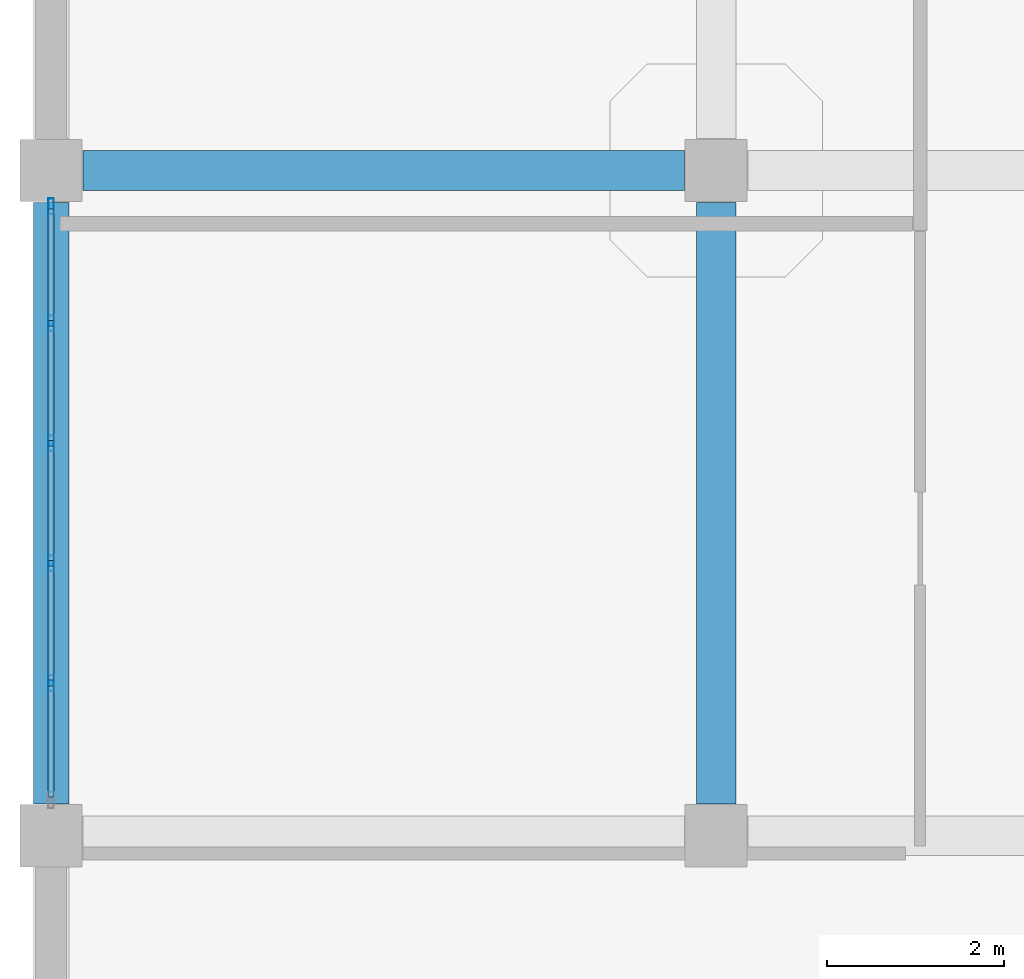
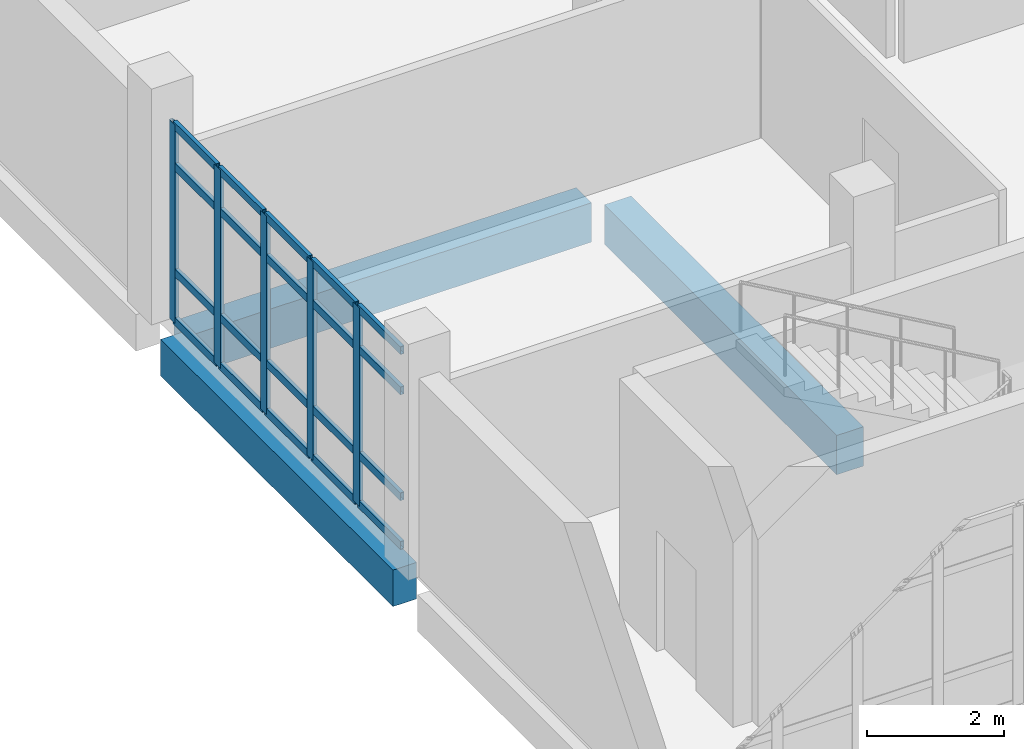
# One storey, part 16 of 164: 25 members, 3 beams, 1 element without a shape of its own.
"""IFC4 building model written with IfcOpenShell, lengths in metres."""

from ifc_helpers import new_model, si_unit, direction, frame, origin, origin_2d, place, context, subcontext, project, spatial, rectangle, hollow_rectangle, extrude, material, layer, layer_set, material_profile, profile_set, type_object, element, aggregate, save


model = new_model("IFC4")

# Units and contexts
model_context = context("Model", 3, precision=1e-05, world=origin(), true_north=direction((0.0, 1.0)))
body_context = subcontext(model_context, "Body", "Model", "MODEL_VIEW")
ifc_project = project(units=[si_unit("LENGTHUNIT", "METRE"), si_unit("AREAUNIT", "SQUARE_METRE"), si_unit("VOLUMEUNIT", "CUBIC_METRE"), si_unit("PLANEANGLEUNIT", "RADIAN"), si_unit("MASSUNIT", "GRAM", prefix="KILO")], contexts=[model_context])

# Site, building, storey
site_placement = place(None, origin())
site = spatial("IfcSite", under=ifc_project, at=site_placement, CompositionType="ELEMENT")
building_placement = place(site_placement, origin())
building = spatial("IfcBuilding", under=site, at=building_placement, Name="Mawjan Specialist Oncology Clinic", CompositionType="ELEMENT")
storey_placement = place(building_placement, frame((0.0, 0.0, 5.0)))
storey = spatial("IfcBuildingStorey", under=building, at=storey_placement, Name="L01", CompositionType="ELEMENT", Elevation=5.0)

# Beams
ifc_material_1 = material(Name="Concrete C40/50", Category="concrete")
ifc_material_profile_1 = material_profile(ifc_material_1, rectangle(XDim=0.449951171875, YDim=0.699951171875, at=origin_2d()), Name="RC BM 450x700", Category="concrete")
ifc_profile_set_1 = profile_set([ifc_material_profile_1], Name="Concrete C40/50")
beam_type_1 = type_object("IfcBeamType", Name="BM-450x700", PredefinedType="BEAM", material=ifc_profile_set_1)
beam_1_placement = place(storey_placement, frame((0.360107421875, 15.800048828125, -0.8701171875), z_axis=(1.0, 0.0, 0.0), x_axis=(0.0, 1.0, 0.0)))
element("IfcBeam", 1, at=beam_1_placement, inside=storey, type_object=beam_type_1, Name="L01 Collector Beam BM-L01-0237", PredefinedType="BEAM", context=body_context, shape_type="SweptSolid", body=[
    extrude(rectangle(XDim=0.449951171875, YDim=0.699951171875, at=origin_2d()), origin(), (0.0, 0.0, 1.0), 6.77978515625),
])
beam_2_placement = place(storey_placement, frame((7.5, 8.659912109375, -0.8701171875), z_axis=(0.0, 1.0, 0.0), x_axis=(-1.0, 0.0, 0.0)))
element("IfcBeam", 2, at=beam_2_placement, inside=storey, type_object=beam_type_1, Name="L01 Collector Beam BM-L01-0428", PredefinedType="BEAM", context=body_context, shape_type="SweptSolid", body=[
    extrude(rectangle(XDim=0.449951171875, YDim=0.699951171875, at=origin_2d()), origin(), (0.0, 0.0, 1.0), 6.780029296875),
])

# Curtain wall, members
ifc_material_2 = material(Name="Unitised spectrally selective aluminium curtain wall", Category="aluminium")
ifc_layer = layer(ifc_material_2, 0.179931640625, Name="Unitised spectrally selective aluminium curtain wall", Category="aluminium")
ifc_layer_set = layer_set([ifc_layer], Name="Unitised spectrally selective aluminium curtain wall")
curtain_wall_type = type_object("IfcCurtainWallType", Name="CW-73", PredefinedType="NOTDEFINED", material=ifc_layer_set)
curtain_wall_placement = place(storey_placement, origin())
curtain_wall = element("IfcCurtainWall", 3, at=curtain_wall_placement, inside=storey, type_object=curtain_wall_type, Name="L01 Unitised Curtain Wall CW-L01-145", PredefinedType="NOTDEFINED")
ifc_material_3 = material(Name="Thermally broken aluminium 6063-T6", Category="aluminium")
ifc_material_profile_2 = material_profile(ifc_material_3, hollow_rectangle(XDim=0.06494140625, YDim=0.179931640625, WallThickness=0.00390625, at=origin_2d()), Name="ALU MULLION 180x65x4", Category="aluminium")
ifc_profile_set_2 = profile_set([ifc_material_profile_2], Name="Thermally broken aluminium 6063-T6")
member_type_1 = type_object("IfcMemberType", Name="CW-M180", PredefinedType="MULLION", material=ifc_profile_set_2)
member_1_placement = place(storey_placement, frame((0.0, 10.02197265625, 0.0), z_axis=(0.0, 0.0, 1.0), x_axis=(-1.0, 0.0, 0.0)))
member_1 = element("IfcMember", 4, at=member_1_placement, type_object=member_type_1, Name="CW-73 mullion 2", PredefinedType="MULLION", context=body_context, shape_type="SweptSolid", body=[
    extrude(hollow_rectangle(XDim=0.06494140625, YDim=0.179931640625, WallThickness=0.00390625, at=origin_2d()), origin(), (0.0, 0.0, 1.0), 3.534912109375),
])
member_2_placement = place(storey_placement, frame((0.0, 11.3740234375, 0.0), z_axis=(0.0, 0.0, 1.0), x_axis=(-1.0, 0.0, 0.0)))
member_2 = element("IfcMember", 5, at=member_2_placement, type_object=member_type_1, Name="CW-73 mullion 3", PredefinedType="MULLION", context=body_context, shape_type="SweptSolid", body=[
    extrude(hollow_rectangle(XDim=0.06494140625, YDim=0.179931640625, WallThickness=0.00390625, at=origin_2d()), origin(), (0.0, 0.0, 1.0), 3.534912109375),
])
member_3_placement = place(storey_placement, frame((0.0, 12.72607421875, 0.0), z_axis=(0.0, 0.0, 1.0), x_axis=(-1.0, 0.0, 0.0)))
member_3 = element("IfcMember", 6, at=member_3_placement, type_object=member_type_1, Name="CW-73 mullion 4", PredefinedType="MULLION", context=body_context, shape_type="SweptSolid", body=[
    extrude(hollow_rectangle(XDim=0.06494140625, YDim=0.179931640625, WallThickness=0.00390625, at=origin_2d()), origin(), (0.0, 0.0, 1.0), 3.534912109375),
])
member_4_placement = place(storey_placement, frame((0.0, 14.077880859375, 0.0), z_axis=(0.0, 0.0, 1.0), x_axis=(-1.0, 0.0, 0.0)))
member_4 = element("IfcMember", 7, at=member_4_placement, type_object=member_type_1, Name="CW-73 mullion 5", PredefinedType="MULLION", context=body_context, shape_type="SweptSolid", body=[
    extrude(hollow_rectangle(XDim=0.06494140625, YDim=0.179931640625, WallThickness=0.00390625, at=origin_2d()), origin(), (0.0, 0.0, 1.0), 3.534912109375),
])
member_5_placement = place(storey_placement, frame((0.0, 15.3974609375, 0.0), z_axis=(0.0, 0.0, 1.0), x_axis=(-1.0, 0.0, 0.0)))
member_5 = element("IfcMember", 8, at=member_5_placement, type_object=member_type_1, Name="CW-73 mullion 6", PredefinedType="MULLION", context=body_context, shape_type="SweptSolid", body=[
    extrude(hollow_rectangle(XDim=0.06494140625, YDim=0.179931640625, WallThickness=0.00390625, at=origin_2d()), origin(), (0.0, 0.0, 1.0), 3.534912109375),
])
ifc_material_4 = material(Name="Thermally broken aluminium 6063-T6", Category="aluminium")
ifc_material_profile_3 = material_profile(ifc_material_4, hollow_rectangle(XDim=0.06494140625, YDim=0.139892578125, WallThickness=0.00390625, at=origin_2d()), Name="ALU TRANSOM 140x65x4", Category="aluminium")
ifc_profile_set_3 = profile_set([ifc_material_profile_3], Name="Thermally broken aluminium 6063-T6")
member_type_2 = type_object("IfcMemberType", Name="CW-T140", PredefinedType="USERDEFINED", material=ifc_profile_set_3)
member_6_placement = place(storey_placement, frame((0.0, 8.735107421875, 0.032470703125), z_axis=(0.0, 1.0, 0.0), x_axis=(-1.0, 0.0, 0.0)))
member_6 = element("IfcMember", 9, at=member_6_placement, type_object=member_type_2, Name="CW-73 transom 1.1", ObjectType="TRANSOM", PredefinedType="USERDEFINED", context=body_context, shape_type="SweptSolid", body=[
    extrude(hollow_rectangle(XDim=0.06494140625, YDim=0.139892578125, WallThickness=0.00390625, at=origin_2d()), origin(), (0.0, 0.0, 1.0), 1.25439453125),
])
member_7_placement = place(storey_placement, frame((0.0, 8.735107421875, 0.89990234375), z_axis=(0.0, 1.0, 0.0), x_axis=(-1.0, 0.0, 0.0)))
member_7 = element("IfcMember", 10, at=member_7_placement, type_object=member_type_2, Name="CW-73 transom 1.2", ObjectType="TRANSOM", PredefinedType="USERDEFINED", context=body_context, shape_type="SweptSolid", body=[
    extrude(hollow_rectangle(XDim=0.06494140625, YDim=0.139892578125, WallThickness=0.00390625, at=origin_2d()), origin(), (0.0, 0.0, 1.0), 1.25439453125),
])
member_8_placement = place(storey_placement, frame((0.0, 8.735107421875, 2.784912109375), z_axis=(0.0, 1.0, 0.0), x_axis=(-1.0, 0.0, 0.0)))
member_8 = element("IfcMember", 11, at=member_8_placement, type_object=member_type_2, Name="CW-73 transom 1.3", ObjectType="TRANSOM", PredefinedType="USERDEFINED", context=body_context, shape_type="SweptSolid", body=[
    extrude(hollow_rectangle(XDim=0.06494140625, YDim=0.139892578125, WallThickness=0.00390625, at=origin_2d()), origin(), (0.0, 0.0, 1.0), 1.25439453125),
])
member_9_placement = place(storey_placement, frame((0.0, 8.735107421875, 3.50244140625), z_axis=(0.0, 1.0, 0.0), x_axis=(-1.0, 0.0, 0.0)))
member_9 = element("IfcMember", 12, at=member_9_placement, type_object=member_type_2, Name="CW-73 transom 1.4", ObjectType="TRANSOM", PredefinedType="USERDEFINED", context=body_context, shape_type="SweptSolid", body=[
    extrude(hollow_rectangle(XDim=0.06494140625, YDim=0.139892578125, WallThickness=0.00390625, at=origin_2d()), origin(), (0.0, 0.0, 1.0), 1.25439453125),
])
member_10_placement = place(storey_placement, frame((0.0, 10.054443359375, 0.032470703125), z_axis=(0.0, 1.0, 0.0), x_axis=(-1.0, 0.0, 0.0)))
member_10 = element("IfcMember", 13, at=member_10_placement, type_object=member_type_2, Name="CW-73 transom 2.1", ObjectType="TRANSOM", PredefinedType="USERDEFINED", context=body_context, shape_type="SweptSolid", body=[
    extrude(hollow_rectangle(XDim=0.06494140625, YDim=0.139892578125, WallThickness=0.00390625, at=origin_2d()), origin(), (0.0, 0.0, 1.0), 1.287109375),
])
member_11_placement = place(storey_placement, frame((0.0, 10.054443359375, 0.89990234375), z_axis=(0.0, 1.0, 0.0), x_axis=(-1.0, 0.0, 0.0)))
member_11 = element("IfcMember", 14, at=member_11_placement, type_object=member_type_2, Name="CW-73 transom 2.2", ObjectType="TRANSOM", PredefinedType="USERDEFINED", context=body_context, shape_type="SweptSolid", body=[
    extrude(hollow_rectangle(XDim=0.06494140625, YDim=0.139892578125, WallThickness=0.00390625, at=origin_2d()), origin(), (0.0, 0.0, 1.0), 1.287109375),
])
member_12_placement = place(storey_placement, frame((0.0, 10.054443359375, 2.784912109375), z_axis=(0.0, 1.0, 0.0), x_axis=(-1.0, 0.0, 0.0)))
member_12 = element("IfcMember", 15, at=member_12_placement, type_object=member_type_2, Name="CW-73 transom 2.3", ObjectType="TRANSOM", PredefinedType="USERDEFINED", context=body_context, shape_type="SweptSolid", body=[
    extrude(hollow_rectangle(XDim=0.06494140625, YDim=0.139892578125, WallThickness=0.00390625, at=origin_2d()), origin(), (0.0, 0.0, 1.0), 1.287109375),
])
member_13_placement = place(storey_placement, frame((0.0, 10.054443359375, 3.50244140625), z_axis=(0.0, 1.0, 0.0), x_axis=(-1.0, 0.0, 0.0)))
member_13 = element("IfcMember", 16, at=member_13_placement, type_object=member_type_2, Name="CW-73 transom 2.4", ObjectType="TRANSOM", PredefinedType="USERDEFINED", context=body_context, shape_type="SweptSolid", body=[
    extrude(hollow_rectangle(XDim=0.06494140625, YDim=0.139892578125, WallThickness=0.00390625, at=origin_2d()), origin(), (0.0, 0.0, 1.0), 1.287109375),
])
member_14_placement = place(storey_placement, frame((0.0, 11.406494140625, 0.032470703125), z_axis=(0.0, 1.0, 0.0), x_axis=(-1.0, 0.0, 0.0)))
member_14 = element("IfcMember", 17, at=member_14_placement, type_object=member_type_2, Name="CW-73 transom 3.1", ObjectType="TRANSOM", PredefinedType="USERDEFINED", context=body_context, shape_type="SweptSolid", body=[
    extrude(hollow_rectangle(XDim=0.06494140625, YDim=0.139892578125, WallThickness=0.00390625, at=origin_2d()), origin(), (0.0, 0.0, 1.0), 1.287109375),
])
member_15_placement = place(storey_placement, frame((0.0, 11.406494140625, 0.89990234375), z_axis=(0.0, 1.0, 0.0), x_axis=(-1.0, 0.0, 0.0)))
member_15 = element("IfcMember", 18, at=member_15_placement, type_object=member_type_2, Name="CW-73 transom 3.2", ObjectType="TRANSOM", PredefinedType="USERDEFINED", context=body_context, shape_type="SweptSolid", body=[
    extrude(hollow_rectangle(XDim=0.06494140625, YDim=0.139892578125, WallThickness=0.00390625, at=origin_2d()), origin(), (0.0, 0.0, 1.0), 1.287109375),
])
member_16_placement = place(storey_placement, frame((0.0, 11.406494140625, 2.784912109375), z_axis=(0.0, 1.0, 0.0), x_axis=(-1.0, 0.0, 0.0)))
member_16 = element("IfcMember", 19, at=member_16_placement, type_object=member_type_2, Name="CW-73 transom 3.3", ObjectType="TRANSOM", PredefinedType="USERDEFINED", context=body_context, shape_type="SweptSolid", body=[
    extrude(hollow_rectangle(XDim=0.06494140625, YDim=0.139892578125, WallThickness=0.00390625, at=origin_2d()), origin(), (0.0, 0.0, 1.0), 1.287109375),
])
member_17_placement = place(storey_placement, frame((0.0, 11.406494140625, 3.50244140625), z_axis=(0.0, 1.0, 0.0), x_axis=(-1.0, 0.0, 0.0)))
member_17 = element("IfcMember", 20, at=member_17_placement, type_object=member_type_2, Name="CW-73 transom 3.4", ObjectType="TRANSOM", PredefinedType="USERDEFINED", context=body_context, shape_type="SweptSolid", body=[
    extrude(hollow_rectangle(XDim=0.06494140625, YDim=0.139892578125, WallThickness=0.00390625, at=origin_2d()), origin(), (0.0, 0.0, 1.0), 1.287109375),
])
member_18_placement = place(storey_placement, frame((0.0, 12.758544921875, 0.032470703125), z_axis=(0.0, 1.0, 0.0), x_axis=(-1.0, 0.0, 0.0)))
member_18 = element("IfcMember", 21, at=member_18_placement, type_object=member_type_2, Name="CW-73 transom 4.1", ObjectType="TRANSOM", PredefinedType="USERDEFINED", context=body_context, shape_type="SweptSolid", body=[
    extrude(hollow_rectangle(XDim=0.06494140625, YDim=0.139892578125, WallThickness=0.00390625, at=origin_2d()), origin(), (0.0, 0.0, 1.0), 1.286865234375),
])
member_19_placement = place(storey_placement, frame((0.0, 12.758544921875, 0.89990234375), z_axis=(0.0, 1.0, 0.0), x_axis=(-1.0, 0.0, 0.0)))
member_19 = element("IfcMember", 22, at=member_19_placement, type_object=member_type_2, Name="CW-73 transom 4.2", ObjectType="TRANSOM", PredefinedType="USERDEFINED", context=body_context, shape_type="SweptSolid", body=[
    extrude(hollow_rectangle(XDim=0.06494140625, YDim=0.139892578125, WallThickness=0.00390625, at=origin_2d()), origin(), (0.0, 0.0, 1.0), 1.286865234375),
])
member_20_placement = place(storey_placement, frame((0.0, 12.758544921875, 2.784912109375), z_axis=(0.0, 1.0, 0.0), x_axis=(-1.0, 0.0, 0.0)))
member_20 = element("IfcMember", 23, at=member_20_placement, type_object=member_type_2, Name="CW-73 transom 4.3", ObjectType="TRANSOM", PredefinedType="USERDEFINED", context=body_context, shape_type="SweptSolid", body=[
    extrude(hollow_rectangle(XDim=0.06494140625, YDim=0.139892578125, WallThickness=0.00390625, at=origin_2d()), origin(), (0.0, 0.0, 1.0), 1.286865234375),
])
member_21_placement = place(storey_placement, frame((0.0, 12.758544921875, 3.50244140625), z_axis=(0.0, 1.0, 0.0), x_axis=(-1.0, 0.0, 0.0)))
member_21 = element("IfcMember", 24, at=member_21_placement, type_object=member_type_2, Name="CW-73 transom 4.4", ObjectType="TRANSOM", PredefinedType="USERDEFINED", context=body_context, shape_type="SweptSolid", body=[
    extrude(hollow_rectangle(XDim=0.06494140625, YDim=0.139892578125, WallThickness=0.00390625, at=origin_2d()), origin(), (0.0, 0.0, 1.0), 1.286865234375),
])
member_22_placement = place(storey_placement, frame((0.0, 14.110595703125, 0.032470703125), z_axis=(0.0, 1.0, 0.0), x_axis=(-1.0, 0.0, 0.0)))
member_22 = element("IfcMember", 25, at=member_22_placement, type_object=member_type_2, Name="CW-73 transom 5.1", ObjectType="TRANSOM", PredefinedType="USERDEFINED", context=body_context, shape_type="SweptSolid", body=[
    extrude(hollow_rectangle(XDim=0.06494140625, YDim=0.139892578125, WallThickness=0.00390625, at=origin_2d()), origin(), (0.0, 0.0, 1.0), 1.25439453125),
])
member_23_placement = place(storey_placement, frame((0.0, 14.110595703125, 0.89990234375), z_axis=(0.0, 1.0, 0.0), x_axis=(-1.0, 0.0, 0.0)))
member_23 = element("IfcMember", 26, at=member_23_placement, type_object=member_type_2, Name="CW-73 transom 5.2", ObjectType="TRANSOM", PredefinedType="USERDEFINED", context=body_context, shape_type="SweptSolid", body=[
    extrude(hollow_rectangle(XDim=0.06494140625, YDim=0.139892578125, WallThickness=0.00390625, at=origin_2d()), origin(), (0.0, 0.0, 1.0), 1.25439453125),
])
member_24_placement = place(storey_placement, frame((0.0, 14.110595703125, 2.784912109375), z_axis=(0.0, 1.0, 0.0), x_axis=(-1.0, 0.0, 0.0)))
member_24 = element("IfcMember", 27, at=member_24_placement, type_object=member_type_2, Name="CW-73 transom 5.3", ObjectType="TRANSOM", PredefinedType="USERDEFINED", context=body_context, shape_type="SweptSolid", body=[
    extrude(hollow_rectangle(XDim=0.06494140625, YDim=0.139892578125, WallThickness=0.00390625, at=origin_2d()), origin(), (0.0, 0.0, 1.0), 1.25439453125),
])
member_25_placement = place(storey_placement, frame((0.0, 14.110595703125, 3.50244140625), z_axis=(0.0, 1.0, 0.0), x_axis=(-1.0, 0.0, 0.0)))
member_25 = element("IfcMember", 28, at=member_25_placement, type_object=member_type_2, Name="CW-73 transom 5.4", ObjectType="TRANSOM", PredefinedType="USERDEFINED", context=body_context, shape_type="SweptSolid", body=[
    extrude(hollow_rectangle(XDim=0.06494140625, YDim=0.139892578125, WallThickness=0.00390625, at=origin_2d()), origin(), (0.0, 0.0, 1.0), 1.25439453125),
])
aggregate(curtain_wall, [member_1, member_2, member_3, member_4, member_5, member_6, member_7, member_8, member_9, member_10, member_11, member_12, member_13, member_14, member_15, member_16, member_17, member_18, member_19, member_20, member_21, member_22, member_23, member_24, member_25])

# Beam
ifc_material_5 = material(Name="Concrete C45/55", Category="concrete")
ifc_material_profile_4 = material_profile(ifc_material_5, rectangle(XDim=0.39990234375, YDim=0.64990234375, at=origin_2d()), Name="RC BM 400x650", Category="concrete")
ifc_profile_set_4 = profile_set([ifc_material_profile_4], Name="Concrete C45/55")
beam_type_2 = type_object("IfcBeamType", Name="SP-400x650", PredefinedType="SPANDREL", material=ifc_profile_set_4)
beam_3_placement = place(storey_placement, frame((0.0, 8.659912109375, -0.625), z_axis=(0.0, 1.0, 0.0), x_axis=(-1.0, 0.0, 0.0)))
element("IfcBeam", 29, at=beam_3_placement, inside=storey, type_object=beam_type_2, Name="L01 Spandrel Beam BM-L01-0419", PredefinedType="SPANDREL", context=body_context, shape_type="SweptSolid", body=[
    extrude(rectangle(XDim=0.39990234375, YDim=0.64990234375, at=origin_2d()), origin(), (0.0, 0.0, 1.0), 6.780029296875),
])

save(model, "model.ifc")
